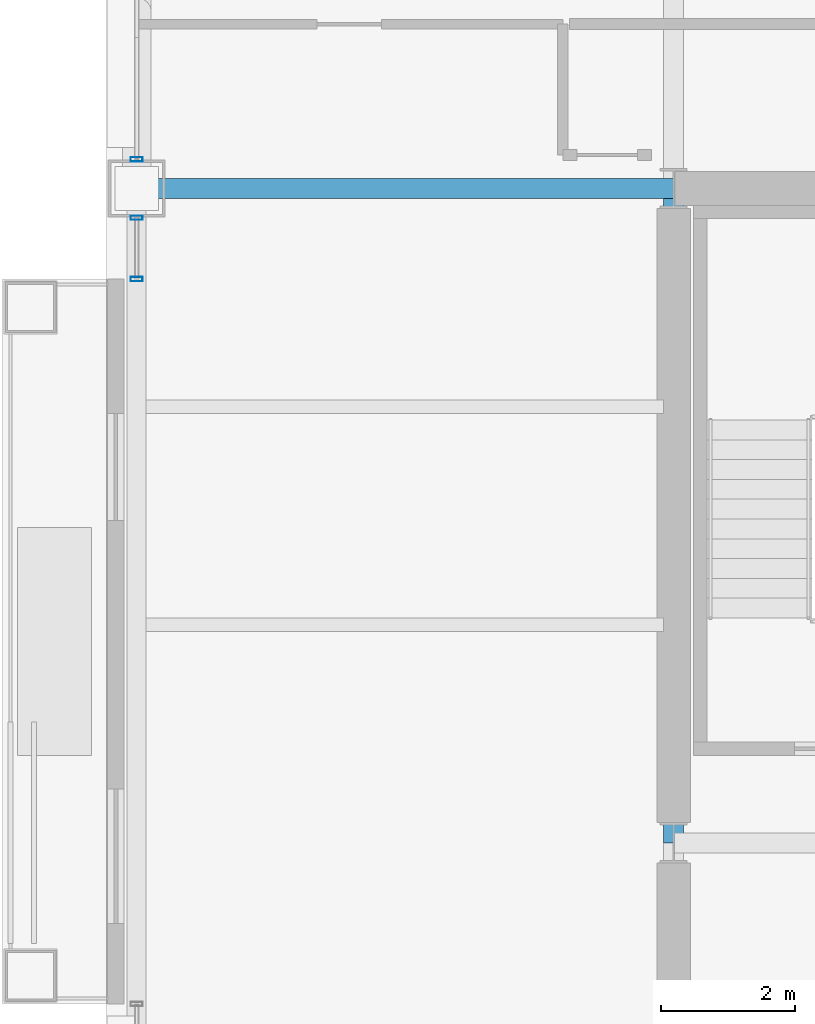
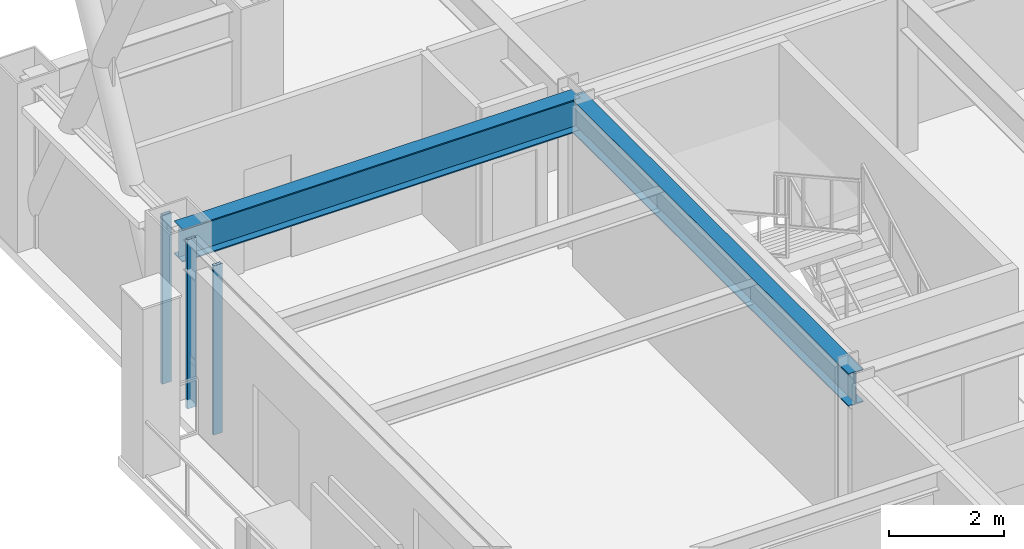
# One storey, part 12 of 34: 3 members, 2 beams, 2 elements without a shape of their own.
"""IFC4 building model written with IfcOpenShell, lengths in metres."""

from ifc_helpers import new_model, si_unit, direction, frame, origin, origin_2d, place, context, subcontext, project, spatial, hollow_rectangle, i_section, extrude, material, layer, layer_set, material_profile, profile_set, type_object, element, aggregate, save


model = new_model("IFC4")

# Units and contexts
model_context = context("Model", 3, precision=1e-05, world=origin(), true_north=direction((0.0, 1.0)))
body_context = subcontext(model_context, "Body", "Model", "MODEL_VIEW")
ifc_project = project(units=[si_unit("LENGTHUNIT", "METRE"), si_unit("AREAUNIT", "SQUARE_METRE"), si_unit("VOLUMEUNIT", "CUBIC_METRE"), si_unit("PLANEANGLEUNIT", "RADIAN"), si_unit("MASSUNIT", "GRAM", prefix="KILO")], contexts=[model_context])

# Site, building, storey
site_placement = place(None, origin())
site = spatial("IfcSite", under=ifc_project, at=site_placement, CompositionType="ELEMENT")
building_placement = place(site_placement, origin())
building = spatial("IfcBuilding", under=site, at=building_placement, Name="Brelmoor Portico Tower", CompositionType="ELEMENT")
storey_placement = place(building_placement, frame((0.0, 0.0, 99.0)))
storey = spatial("IfcBuildingStorey", under=building, at=storey_placement, Name="L25", CompositionType="ELEMENT", Elevation=99.0)

# Beams
ifc_material_1 = material(Name="Steel Q355B", Category="steel")
ifc_material_profile_1 = material_profile(ifc_material_1, i_section(OverallWidth=0.300048828125, OverallDepth=0.699951171875, WebThickness=0.012939453125, FlangeThickness=0.02392578125, at=origin_2d()), Name="HN 700x300x13x24")
ifc_profile_set_1 = profile_set([ifc_material_profile_1], Name="Steel Q355B")
beam_type = type_object("IfcBeamType", Name="BM-PG-700", PredefinedType="BEAM", material=ifc_profile_set_1)
beam_1_placement = place(storey_placement, frame((-14.550048828125, 0.0, 3.050048828125), z_axis=(0.0, 1.0, 0.0), x_axis=(-1.0, 0.0, 0.0)))
element("IfcBeam", 1, at=beam_1_placement, inside=storey, type_object=beam_type, Name="L25 Primary Floor Girder PG-03", PredefinedType="BEAM", context=body_context, shape_type="SweptSolid", body=[
    extrude(i_section(OverallWidth=0.300048828125, OverallDepth=0.699951171875, WebThickness=0.012939453125, FlangeThickness=0.02392578125, at=origin_2d()), origin(), (0.0, 0.0, 1.0), 9.75),
])
beam_2_placement = place(storey_placement, frame((-22.550048828125, 9.75, 3.050048828125), z_axis=(1.0, 0.0, 0.0), x_axis=(0.0, 1.0, 0.0)))
element("IfcBeam", 2, at=beam_2_placement, inside=storey, type_object=beam_type, Name="L25 Primary Floor Girder PG-22", PredefinedType="BEAM", context=body_context, shape_type="SweptSolid", body=[
    extrude(i_section(OverallWidth=0.300048828125, OverallDepth=0.699951171875, WebThickness=0.012939453125, FlangeThickness=0.02392578125, at=origin_2d()), origin(), (0.0, 0.0, 1.0), 8.0),
])

# Curtain wall, members
ifc_material_2 = material(Name="Anodised Aluminium Alloy 6063-T6", Category="aluminium")
ifc_layer_1 = layer(ifc_material_2, 0.179931640625)
ifc_layer_set_1 = layer_set([ifc_layer_1], Name="Anodised Aluminium Alloy 6063-T6")
curtain_wall_type_1 = type_object("IfcCurtainWallType", Name="CW-TOWER-Z2", PredefinedType="NOTDEFINED", material=ifc_layer_set_1)
curtain_wall_1_placement = place(storey_placement, origin())
curtain_wall_1 = element("IfcCurtainWall", 3, at=curtain_wall_1_placement, inside=storey, type_object=curtain_wall_type_1, Name="L25 Curtain Wall CW-L25-3R-1", PredefinedType="NOTDEFINED")
ifc_material_profile_2 = material_profile(ifc_material_2, hollow_rectangle(XDim=0.06494140625, YDim=0.179931640625, WallThickness=0.00390625, at=origin_2d()), Name="ALU MULLION 65x180")
ifc_profile_set_2 = profile_set([ifc_material_profile_2], Name="Anodised Aluminium Alloy 6063-T6")
member_type = type_object("IfcMemberType", Name="MB-CW-MULL-180", PredefinedType="MULLION", material=ifc_profile_set_2)
member_1_placement = place(storey_placement, frame((-22.550048828125, 8.39990234375, -0.199951171875), z_axis=(0.0, 0.0, 1.0), x_axis=(0.0, 1.0, 0.0)))
member_1 = element("IfcMember", 4, at=member_1_placement, type_object=member_type, Name="CW-L25-3R-1 Mullion 00", PredefinedType="MULLION", context=body_context, shape_type="SweptSolid", body=[
    extrude(hollow_rectangle(XDim=0.06494140625, YDim=0.179931640625, WallThickness=0.00390625, at=origin_2d()), origin(), (0.0, 0.0, 1.0), 3.599853515625),
])
member_2_placement = place(storey_placement, frame((-22.550048828125, 9.31494140625, -0.199951171875), z_axis=(0.0, 0.0, 1.0), x_axis=(0.0, 1.0, 0.0)))
member_2 = element("IfcMember", 5, at=member_2_placement, type_object=member_type, Name="CW-L25-3R-1 Mullion 01", PredefinedType="MULLION", context=body_context, shape_type="SweptSolid", body=[
    extrude(hollow_rectangle(XDim=0.06494140625, YDim=0.179931640625, WallThickness=0.00390625, at=origin_2d()), origin(), (0.0, 0.0, 1.0), 3.599853515625),
])
aggregate(curtain_wall_1, [member_1, member_2])

# Curtain wall, member
ifc_layer_2 = layer(ifc_material_2, 0.179931640625)
ifc_layer_set_2 = layer_set([ifc_layer_2], Name="Anodised Aluminium Alloy 6063-T6")
curtain_wall_type_2 = type_object("IfcCurtainWallType", Name="CW-TOWER-Z2-XB", PredefinedType="NOTDEFINED", material=ifc_layer_set_2)
curtain_wall_2_placement = place(storey_placement, origin())
curtain_wall_2 = element("IfcCurtainWall", 6, at=curtain_wall_2_placement, inside=storey, type_object=curtain_wall_type_2, Name="L25 Curtain Wall CW-L25-3R-2", PredefinedType="NOTDEFINED")
member_3_placement = place(storey_placement, frame((-22.550048828125, 10.18505859375, -0.199951171875), z_axis=(0.0, 0.0, 1.0), x_axis=(0.0, 1.0, 0.0)))
member_3 = element("IfcMember", 7, at=member_3_placement, type_object=member_type, Name="CW-L25-3R-2 Mullion 00", PredefinedType="MULLION", context=body_context, shape_type="SweptSolid", body=[
    extrude(hollow_rectangle(XDim=0.06494140625, YDim=0.179931640625, WallThickness=0.00390625, at=origin_2d()), origin(), (0.0, 0.0, 1.0), 3.599853515625),
])
aggregate(curtain_wall_2, [member_3])

save(model, "model.ifc")
